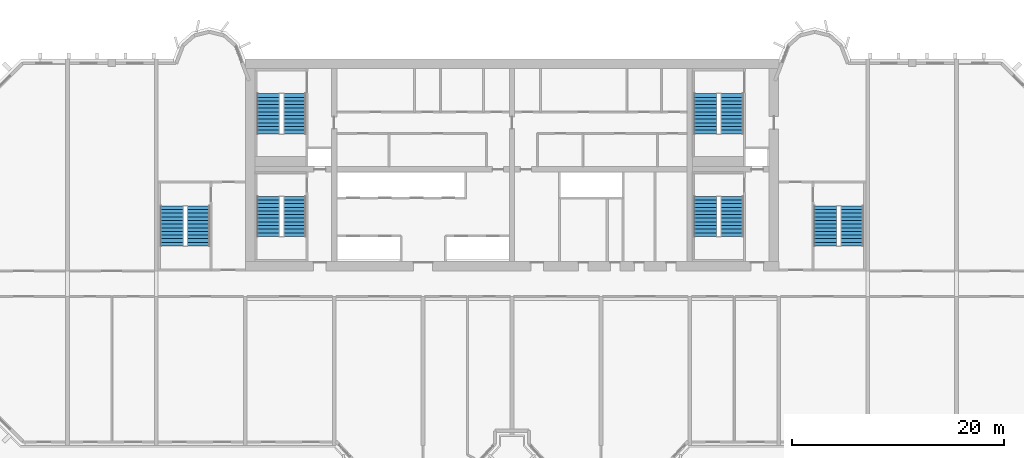
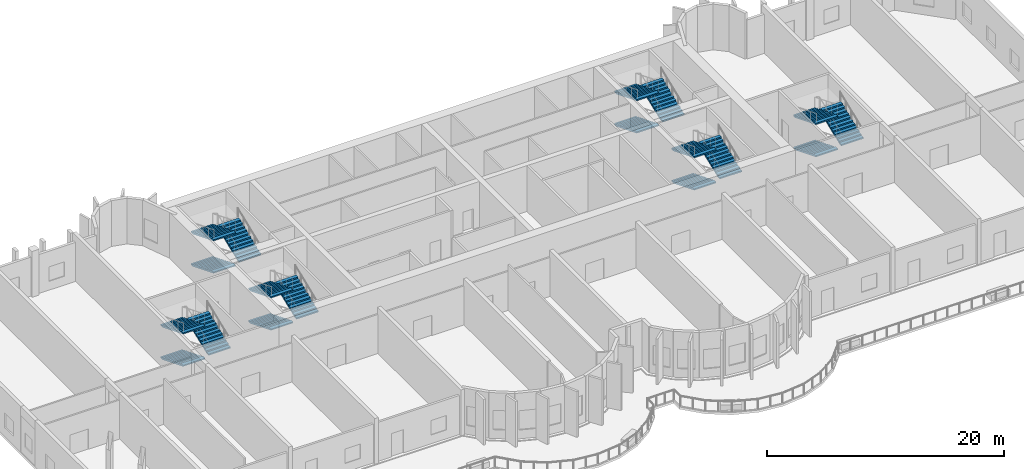
# One storey, part 9 of 13: 18 stair flights, 6 elements without a shape of their own.
"""IFC4 building model written with IfcOpenShell, lengths in metres."""

from ifc_helpers import new_model, si_unit, direction, frame, origin, place, context, subcontext, project, spatial, polyline, outline, extrude, source, transform, mapped, material, type_object, element, aggregate, save


model = new_model("IFC4")

# Units and contexts
model_context = context("Model", 3, precision=1e-05, world=origin(), true_north=direction((0.0, 1.0)))
body_context = subcontext(model_context, "Body", "Model", "MODEL_VIEW")
ifc_project = project(units=[si_unit("LENGTHUNIT", "METRE"), si_unit("AREAUNIT", "SQUARE_METRE"), si_unit("VOLUMEUNIT", "CUBIC_METRE"), si_unit("PLANEANGLEUNIT", "RADIAN"), si_unit("MASSUNIT", "GRAM", prefix="KILO")], contexts=[model_context])

# Site, building, storey
site_placement = place(None, origin())
site = spatial("IfcSite", under=ifc_project, at=site_placement, CompositionType="ELEMENT")
building_placement = place(site_placement, origin())
building = spatial("IfcBuilding", under=site, at=building_placement, Name="Vanashikhar Sky Hotel", CompositionType="ELEMENT")
storey_placement = place(building_placement, frame((0.0, 0.0, 86.39990234375)))
storey = spatial("IfcBuildingStorey", under=building, at=storey_placement, Name="L20", CompositionType="ELEMENT", Elevation=86.39990234375)

# Stair, stair flights
ifc_material = material(Name="Concrete M40", Category="concrete")
stair_type = type_object("IfcStairType", Name="Exit stair 2150", PredefinedType="DOUBLE_RETURN_STAIR", material=ifc_material)
stair_1_placement = place(storey_placement, origin())
stair_1 = element("IfcStair", 1, at=stair_1_placement, inside=storey, type_object=stair_type, Name="L20 Exit stair 1", PredefinedType="DOUBLE_RETURN_STAIR")
stair_flight_type = type_object("IfcStairFlightType", Name="Stair flight 2150", PredefinedType="STRAIGHT", material=ifc_material)
shared_shape = source(origin(), body_context, "Body", "SweptSolid", [
    extrude(outline(polyline([(0.0, 0.0), (0.0, 0.138916015625), (0.345458984375, 0.138916015625), (0.345458984375, 0.27783203125), (0.69091796875, 0.27783203125), (0.69091796875, 0.416748046875), (1.036376953125, 0.416748046875), (1.036376953125, 0.5556640625), (1.3818359375, 0.5556640625), (1.3818359375, 0.6943359375), (1.727294921875, 0.6943359375), (1.727294921875, 0.833251953125), (2.07275390625, 0.833251953125), (2.07275390625, 0.97216796875), (2.418212890625, 0.97216796875), (2.418212890625, 1.111083984375), (2.763671875, 1.111083984375), (2.763671875, 1.25), (3.109130859375, 1.25), (3.109130859375, 1.388916015625), (3.45458984375, 1.388916015625), (3.45458984375, 1.52783203125), (3.800048828125, 1.52783203125), (3.800048828125, 1.666748046875), (3.800048828125, 1.3984375), (0.322021484375, 0.0), (0.0, 0.0)])), frame((0.0, 1.074951171875, 0.0), z_axis=(0.0, -1.0, 0.0), x_axis=(1.0, 0.0, 0.0)), (0.0, 0.0, 1.0), 2.14990234375),
])
stair_flight_1_placement = place(storey_placement, frame((27.375, 29.050048828125, 0.0), z_axis=(0.0, 0.0, 1.0), x_axis=(0.0, -1.0, 0.0)))
stair_flight_1 = element("IfcStairFlight", 2, at=stair_flight_1_placement, type_object=stair_flight_type, Name="ST-C1 flight 1", NumberOfRisers=12, NumberOfTreads=11, PredefinedType="STRAIGHT", RiserHeight=0.138888889, TreadLength=0.345454545, context=body_context, shape_type="MappedRepresentation", body=[
    mapped(shared_shape, transform((0.0, 0.0, 0.0), scale=1.0)),
])
stair_flight_2_placement = place(storey_placement, frame((29.875, 25.25, 1.666748046875), z_axis=(0.0, 0.0, 1.0), x_axis=(0.0, 1.0, 0.0)))
stair_flight_2 = element("IfcStairFlight", 3, at=stair_flight_2_placement, type_object=stair_flight_type, Name="ST-C1 flight 2", NumberOfRisers=12, NumberOfTreads=11, PredefinedType="STRAIGHT", RiserHeight=0.138888889, TreadLength=0.345454545, context=body_context, shape_type="MappedRepresentation", body=[
    mapped(shared_shape, transform((0.0, 0.0, 0.0), scale=1.0)),
])
stair_flight_3_placement = place(storey_placement, frame((27.375, 29.050048828125, 3.33349609375), z_axis=(0.0, 0.0, 1.0), x_axis=(0.0, -1.0, 0.0)))
stair_flight_3 = element("IfcStairFlight", 4, at=stair_flight_3_placement, type_object=stair_flight_type, Name="ST-C1 flight 3", NumberOfRisers=12, NumberOfTreads=11, PredefinedType="STRAIGHT", RiserHeight=0.138888889, TreadLength=0.345454545, context=body_context, shape_type="MappedRepresentation", body=[
    mapped(shared_shape, transform((0.0, 0.0, 0.0), scale=1.0)),
])
aggregate(stair_1, [stair_flight_1, stair_flight_2, stair_flight_3])

stair_2_placement = place(storey_placement, origin())
stair_2 = element("IfcStair", 5, at=stair_2_placement, inside=storey, type_object=stair_type, Name="L20 Exit stair 2", PredefinedType="DOUBLE_RETURN_STAIR")
stair_flight_4_placement = place(storey_placement, frame((68.675048828125, 29.050048828125, 0.0), z_axis=(0.0, 0.0, 1.0), x_axis=(0.0, -1.0, 0.0)))
stair_flight_4 = element("IfcStairFlight", 6, at=stair_flight_4_placement, type_object=stair_flight_type, Name="ST-C2 flight 1", NumberOfRisers=12, NumberOfTreads=11, PredefinedType="STRAIGHT", RiserHeight=0.138888889, TreadLength=0.345454545, context=body_context, shape_type="MappedRepresentation", body=[
    mapped(shared_shape, transform((0.0, 0.0, 0.0), scale=1.0)),
])
stair_flight_5_placement = place(storey_placement, frame((71.175048828125, 25.25, 1.666748046875), z_axis=(0.0, 0.0, 1.0), x_axis=(0.0, 1.0, 0.0)))
stair_flight_5 = element("IfcStairFlight", 7, at=stair_flight_5_placement, type_object=stair_flight_type, Name="ST-C2 flight 2", NumberOfRisers=12, NumberOfTreads=11, PredefinedType="STRAIGHT", RiserHeight=0.138888889, TreadLength=0.345454545, context=body_context, shape_type="MappedRepresentation", body=[
    mapped(shared_shape, transform((0.0, 0.0, 0.0), scale=1.0)),
])
stair_flight_6_placement = place(storey_placement, frame((68.675048828125, 29.050048828125, 3.33349609375), z_axis=(0.0, 0.0, 1.0), x_axis=(0.0, -1.0, 0.0)))
stair_flight_6 = element("IfcStairFlight", 8, at=stair_flight_6_placement, type_object=stair_flight_type, Name="ST-C2 flight 3", NumberOfRisers=12, NumberOfTreads=11, PredefinedType="STRAIGHT", RiserHeight=0.138888889, TreadLength=0.345454545, context=body_context, shape_type="MappedRepresentation", body=[
    mapped(shared_shape, transform((0.0, 0.0, 0.0), scale=1.0)),
])
aggregate(stair_2, [stair_flight_4, stair_flight_5, stair_flight_6])

stair_3_placement = place(storey_placement, origin())
stair_3 = element("IfcStair", 9, at=stair_3_placement, inside=storey, type_object=stair_type, Name="L20 Exit stair 3", PredefinedType="DOUBLE_RETURN_STAIR")
stair_flight_7_placement = place(storey_placement, frame((18.27490234375, 28.14990234375, 0.0), z_axis=(0.0, 0.0, 1.0), x_axis=(0.0, -1.0, 0.0)))
stair_flight_7 = element("IfcStairFlight", 10, at=stair_flight_7_placement, type_object=stair_flight_type, Name="ST-W flight 1", NumberOfRisers=12, NumberOfTreads=11, PredefinedType="STRAIGHT", RiserHeight=0.138888889, TreadLength=0.345454545, context=body_context, shape_type="MappedRepresentation", body=[
    mapped(shared_shape, transform((0.0, 0.0, 0.0), scale=1.0)),
])
stair_flight_8_placement = place(storey_placement, frame((20.77490234375, 24.35009765625, 1.666748046875), z_axis=(0.0, 0.0, 1.0), x_axis=(0.0, 1.0, 0.0)))
stair_flight_8 = element("IfcStairFlight", 11, at=stair_flight_8_placement, type_object=stair_flight_type, Name="ST-W flight 2", NumberOfRisers=12, NumberOfTreads=11, PredefinedType="STRAIGHT", RiserHeight=0.138888889, TreadLength=0.345454545, context=body_context, shape_type="MappedRepresentation", body=[
    mapped(shared_shape, transform((0.0, 0.0, 0.0), scale=1.0)),
])
stair_flight_9_placement = place(storey_placement, frame((18.27490234375, 28.14990234375, 3.33349609375), z_axis=(0.0, 0.0, 1.0), x_axis=(0.0, -1.0, 0.0)))
stair_flight_9 = element("IfcStairFlight", 12, at=stair_flight_9_placement, type_object=stair_flight_type, Name="ST-W flight 3", NumberOfRisers=12, NumberOfTreads=11, PredefinedType="STRAIGHT", RiserHeight=0.138888889, TreadLength=0.345454545, context=body_context, shape_type="MappedRepresentation", body=[
    mapped(shared_shape, transform((0.0, 0.0, 0.0), scale=1.0)),
])
aggregate(stair_3, [stair_flight_7, stair_flight_8, stair_flight_9])

stair_4_placement = place(storey_placement, origin())
stair_4 = element("IfcStair", 13, at=stair_4_placement, inside=storey, type_object=stair_type, Name="L20 Exit stair 4", PredefinedType="DOUBLE_RETURN_STAIR")
stair_flight_10_placement = place(storey_placement, frame((80.02490234375, 28.14990234375, 0.0), z_axis=(0.0, 0.0, 1.0), x_axis=(0.0, -1.0, 0.0)))
stair_flight_10 = element("IfcStairFlight", 14, at=stair_flight_10_placement, type_object=stair_flight_type, Name="ST-E flight 1", NumberOfRisers=12, NumberOfTreads=11, PredefinedType="STRAIGHT", RiserHeight=0.138888889, TreadLength=0.345454545, context=body_context, shape_type="MappedRepresentation", body=[
    mapped(shared_shape, transform((0.0, 0.0, 0.0), scale=1.0)),
])
stair_flight_11_placement = place(storey_placement, frame((82.52490234375, 24.35009765625, 1.666748046875), z_axis=(0.0, 0.0, 1.0), x_axis=(0.0, 1.0, 0.0)))
stair_flight_11 = element("IfcStairFlight", 15, at=stair_flight_11_placement, type_object=stair_flight_type, Name="ST-E flight 2", NumberOfRisers=12, NumberOfTreads=11, PredefinedType="STRAIGHT", RiserHeight=0.138888889, TreadLength=0.345454545, context=body_context, shape_type="MappedRepresentation", body=[
    mapped(shared_shape, transform((0.0, 0.0, 0.0), scale=1.0)),
])
stair_flight_12_placement = place(storey_placement, frame((80.02490234375, 28.14990234375, 3.33349609375), z_axis=(0.0, 0.0, 1.0), x_axis=(0.0, -1.0, 0.0)))
stair_flight_12 = element("IfcStairFlight", 16, at=stair_flight_12_placement, type_object=stair_flight_type, Name="ST-E flight 3", NumberOfRisers=12, NumberOfTreads=11, PredefinedType="STRAIGHT", RiserHeight=0.138888889, TreadLength=0.345454545, context=body_context, shape_type="MappedRepresentation", body=[
    mapped(shared_shape, transform((0.0, 0.0, 0.0), scale=1.0)),
])
aggregate(stair_4, [stair_flight_10, stair_flight_11, stair_flight_12])

stair_5_placement = place(storey_placement, origin())
stair_5 = element("IfcStair", 17, at=stair_5_placement, inside=storey, type_object=stair_type, Name="L20 Exit stair 5", PredefinedType="DOUBLE_RETURN_STAIR")
stair_flight_13_placement = place(storey_placement, frame((27.375, 38.75, 0.0), z_axis=(0.0, 0.0, 1.0), x_axis=(0.0, -1.0, 0.0)))
stair_flight_13 = element("IfcStairFlight", 18, at=stair_flight_13_placement, type_object=stair_flight_type, Name="ST-C3 flight 1", NumberOfRisers=12, NumberOfTreads=11, PredefinedType="STRAIGHT", RiserHeight=0.138888889, TreadLength=0.345454545, context=body_context, shape_type="MappedRepresentation", body=[
    mapped(shared_shape, transform((0.0, 0.0, 0.0), scale=1.0)),
])
stair_flight_14_placement = place(storey_placement, frame((29.875, 34.949951171875, 1.666748046875), z_axis=(0.0, 0.0, 1.0), x_axis=(0.0, 1.0, 0.0)))
stair_flight_14 = element("IfcStairFlight", 19, at=stair_flight_14_placement, type_object=stair_flight_type, Name="ST-C3 flight 2", NumberOfRisers=12, NumberOfTreads=11, PredefinedType="STRAIGHT", RiserHeight=0.138888889, TreadLength=0.345454545, context=body_context, shape_type="MappedRepresentation", body=[
    mapped(shared_shape, transform((0.0, 0.0, 0.0), scale=1.0)),
])
stair_flight_15_placement = place(storey_placement, frame((27.375, 38.75, 3.33349609375), z_axis=(0.0, 0.0, 1.0), x_axis=(0.0, -1.0, 0.0)))
stair_flight_15 = element("IfcStairFlight", 20, at=stair_flight_15_placement, type_object=stair_flight_type, Name="ST-C3 flight 3", NumberOfRisers=12, NumberOfTreads=11, PredefinedType="STRAIGHT", RiserHeight=0.138888889, TreadLength=0.345454545, context=body_context, shape_type="MappedRepresentation", body=[
    mapped(shared_shape, transform((0.0, 0.0, 0.0), scale=1.0)),
])
aggregate(stair_5, [stair_flight_13, stair_flight_14, stair_flight_15])

stair_6_placement = place(storey_placement, origin())
stair_6 = element("IfcStair", 21, at=stair_6_placement, inside=storey, type_object=stair_type, Name="L20 Exit stair 6", PredefinedType="DOUBLE_RETURN_STAIR")
stair_flight_16_placement = place(storey_placement, frame((68.675048828125, 38.75, 0.0), z_axis=(0.0, 0.0, 1.0), x_axis=(0.0, -1.0, 0.0)))
stair_flight_16 = element("IfcStairFlight", 22, at=stair_flight_16_placement, type_object=stair_flight_type, Name="ST-C4 flight 1", NumberOfRisers=12, NumberOfTreads=11, PredefinedType="STRAIGHT", RiserHeight=0.138888889, TreadLength=0.345454545, context=body_context, shape_type="MappedRepresentation", body=[
    mapped(shared_shape, transform((0.0, 0.0, 0.0), scale=1.0)),
])
stair_flight_17_placement = place(storey_placement, frame((71.175048828125, 34.949951171875, 1.666748046875), z_axis=(0.0, 0.0, 1.0), x_axis=(0.0, 1.0, 0.0)))
stair_flight_17 = element("IfcStairFlight", 23, at=stair_flight_17_placement, type_object=stair_flight_type, Name="ST-C4 flight 2", NumberOfRisers=12, NumberOfTreads=11, PredefinedType="STRAIGHT", RiserHeight=0.138888889, TreadLength=0.345454545, context=body_context, shape_type="MappedRepresentation", body=[
    mapped(shared_shape, transform((0.0, 0.0, 0.0), scale=1.0)),
])
stair_flight_18_placement = place(storey_placement, frame((68.675048828125, 38.75, 3.33349609375), z_axis=(0.0, 0.0, 1.0), x_axis=(0.0, -1.0, 0.0)))
stair_flight_18 = element("IfcStairFlight", 24, at=stair_flight_18_placement, type_object=stair_flight_type, Name="ST-C4 flight 3", NumberOfRisers=12, NumberOfTreads=11, PredefinedType="STRAIGHT", RiserHeight=0.138888889, TreadLength=0.345454545, context=body_context, shape_type="MappedRepresentation", body=[
    mapped(shared_shape, transform((0.0, 0.0, 0.0), scale=1.0)),
])
aggregate(stair_6, [stair_flight_16, stair_flight_17, stair_flight_18])

save(model, "model.ifc")
